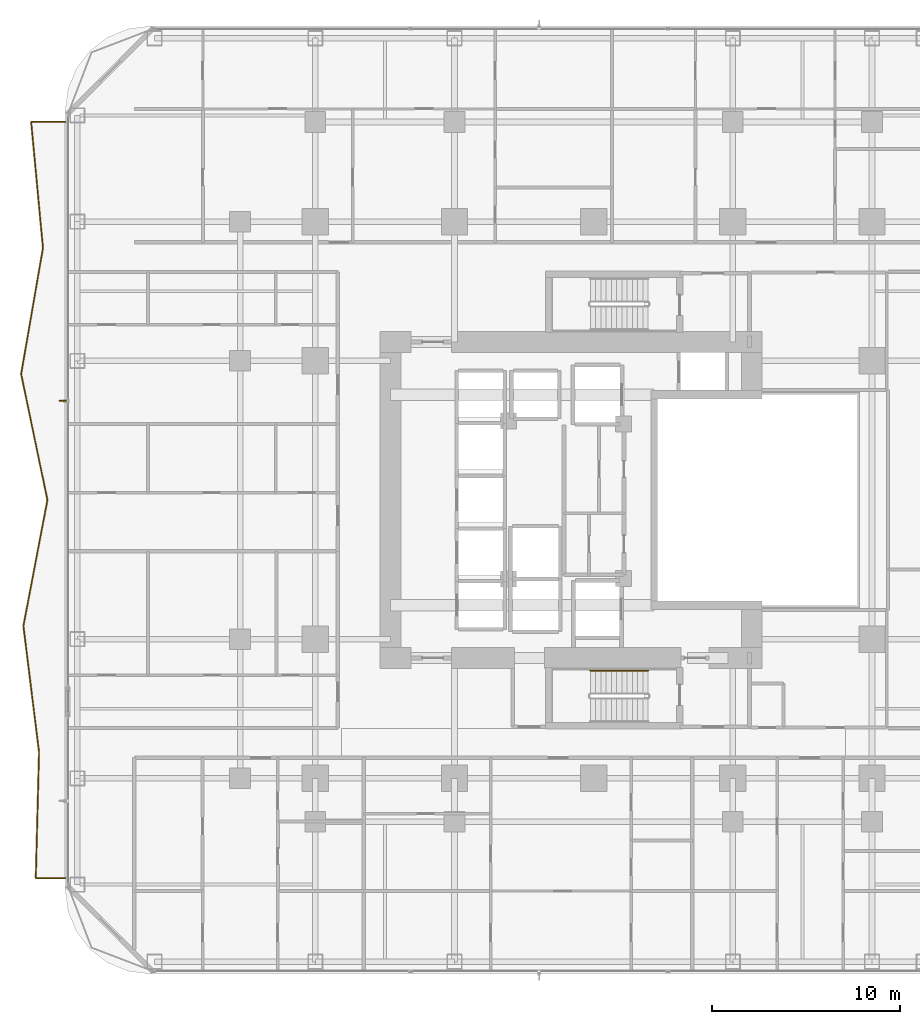
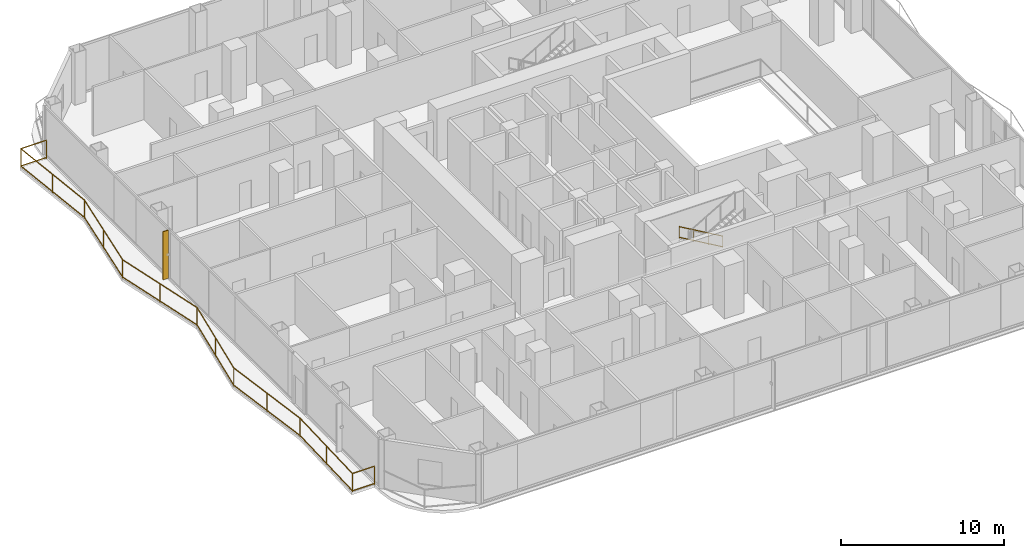
# One storey, part 27 of 30: 2 railings, 1 shading device.
"""IFC4 building model written with IfcOpenShell, lengths in metres."""

from ifc_helpers import new_model, si_unit, direction, frame, origin, origin_2d, place, context, subcontext, project, spatial, rectangle, extrude, material, layer, layer_set, type_object, element, save


model = new_model("IFC4")

# Units and contexts
model_context = context("Model", 3, precision=1e-05, world=origin(), true_north=direction((0.0, 1.0)))
body_context = subcontext(model_context, "Body", "Model", "MODEL_VIEW")
ifc_project = project(units=[si_unit("LENGTHUNIT", "METRE"), si_unit("AREAUNIT", "SQUARE_METRE"), si_unit("VOLUMEUNIT", "CUBIC_METRE"), si_unit("PLANEANGLEUNIT", "RADIAN"), si_unit("MASSUNIT", "GRAM", prefix="KILO")], contexts=[model_context])

# Site, building, storey
site_placement = place(None, origin())
site = spatial("IfcSite", under=ifc_project, at=site_placement, CompositionType="ELEMENT")
building_placement = place(site_placement, origin())
building = spatial("IfcBuilding", under=site, at=building_placement, Name="Khorvyn Point Tower", CompositionType="ELEMENT")
storey_placement = place(building_placement, frame((0.0, 0.0, 57.89990234375)))
storey = spatial("IfcBuildingStorey", under=building, at=storey_placement, Name="L15", CompositionType="ELEMENT", Elevation=57.89990234375)

# Shading device
ifc_material_1 = material(Name="Bronze anodised aluminium 6063-T6", Category="aluminium")
ifc_layer = layer(ifc_material_1, 0.06494140625)
ifc_layer_set = layer_set([ifc_layer], Name="Bronze Anodised Aluminium FIN 380x65")
shading_device_type = type_object("IfcShadingDeviceType", Name="Bronze Anodised Aluminium FIN 380x65", PredefinedType="USERDEFINED", material=ifc_layer_set)
shading_device_placement = place(storey_placement, frame((-28.22998046875, 5.27490234375, 0.0400390625), z_axis=(0.0, 0.0, 1.0), x_axis=(-1.0, 0.0, 0.0)))
element("IfcShadingDevice", 1, at=shading_device_placement, inside=storey, type_object=shading_device_type, Name="L15 Anodised FIN 01", ObjectType="FIN", PredefinedType="USERDEFINED", context=body_context, shape_type="SweptSolid", body=[
    extrude(rectangle(XDim=0.3798828125, YDim=0.06494140625, at=origin_2d()), origin(), (0.0, 0.0, 1.0), 3.60009765625),
])

# Railings
ifc_material_2 = material(Name="Anodised aluminium 6063-T6 and laminated safety glass", Category="aluminium")
railing_type_1 = type_object("IfcRailingType", Name="Laminated Glass and Aluminium Balcony Guardrail 1400", PredefinedType="BALUSTRADE", material=ifc_material_2)
railing_1_placement = place(storey_placement, frame((-28.10009765625, 20.10009765625, 0.0)))
element("IfcRailing", 2, at=railing_1_placement, inside=storey, type_object=railing_type_1, Name="L15 West Balcony Guardrail", PredefinedType="BALUSTRADE", context=body_context, shape_type="SweptSolid", body=[
    extrude(rectangle(XDim=0.048095703125, YDim=0.048095703125, at=origin_2d()), frame((0.0, 0.0, 1.3759765625), z_axis=(-1.0, 0.0, 0.0), x_axis=(0.0, -1.0, 0.0)), (0.0, 0.0, 1.0), 1.80810546875),
    extrude(rectangle(XDim=0.048095703125, YDim=0.048095703125, at=origin_2d()), frame((0.0, 0.0, 0.080078125), z_axis=(-1.0, 0.0, 0.0), x_axis=(0.0, -1.0, 0.0)), (0.0, 0.0, 1.0), 1.80810546875),
    extrude(rectangle(XDim=0.048095703125, YDim=0.048095703125, at=origin_2d()), frame((-1.80810546875, 0.0, 1.3759765625), z_axis=(0.093417128562, -0.995627058738, 0.0), x_axis=(0.995627058738, 0.093417128562, 0.0)), (0.0, 0.0, 1.0), 6.729736328125),
    extrude(rectangle(XDim=0.048095703125, YDim=0.048095703125, at=origin_2d()), frame((-1.80810546875, 0.0, 0.080078125), z_axis=(0.093417128562, -0.995627058738, 0.0), x_axis=(0.995627058738, 0.093417128562, 0.0)), (0.0, 0.0, 1.0), 6.729736328125),
    extrude(rectangle(XDim=0.048095703125, YDim=0.048095703125, at=origin_2d()), frame((-1.179443359375, -6.7001953125, 1.3759765625), z_axis=(-0.170794159587, -0.985306731455, 0.0), x_axis=(0.985306731455, -0.170794159587, 0.0)), (0.0, 0.0, 1.0), 6.7998046875),
    extrude(rectangle(XDim=0.048095703125, YDim=0.048095703125, at=origin_2d()), frame((-1.179443359375, -6.7001953125, 0.080078125), z_axis=(-0.170794159587, -0.985306731455, 0.0), x_axis=(0.985306731455, -0.170794159587, 0.0)), (0.0, 0.0, 1.0), 6.7998046875),
    extrude(rectangle(XDim=0.048095703125, YDim=0.048095703125, at=origin_2d()), frame((-2.3408203125, -13.400146484375, 1.3759765625), z_axis=(0.204251957778, -0.978918350908, 0.0), x_axis=(0.978918350908, 0.204251957778, 0.0)), (0.0, 0.0, 1.0), 6.84423828125),
    extrude(rectangle(XDim=0.048095703125, YDim=0.048095703125, at=origin_2d()), frame((-2.3408203125, -13.400146484375, 0.080078125), z_axis=(0.204251957778, -0.978918350908, 0.0), x_axis=(0.978918350908, 0.204251957778, 0.0)), (0.0, 0.0, 1.0), 6.84423828125),
    extrude(rectangle(XDim=0.048095703125, YDim=0.048095703125, at=origin_2d()), frame((-0.94287109375, -20.10009765625, 1.3759765625), z_axis=(-0.187345664161, -0.98229405074, 0.0), x_axis=(0.98229405074, -0.187345664161, 0.0)), (0.0, 0.0, 1.0), 6.82080078125),
    extrude(rectangle(XDim=0.048095703125, YDim=0.048095703125, at=origin_2d()), frame((-0.94287109375, -20.10009765625, 0.080078125), z_axis=(-0.187345664161, -0.98229405074, 0.0), x_axis=(0.98229405074, -0.187345664161, 0.0)), (0.0, 0.0, 1.0), 6.82080078125),
    extrude(rectangle(XDim=0.048095703125, YDim=0.048095703125, at=origin_2d()), frame((-2.220703125, -26.800048828125, 1.3759765625), z_axis=(0.123238031284, -0.992377139824, 0.0), x_axis=(0.992377139824, 0.123238031284, 0.0)), (0.0, 0.0, 1.0), 6.75146484375),
    extrude(rectangle(XDim=0.048095703125, YDim=0.048095703125, at=origin_2d()), frame((-2.220703125, -26.800048828125, 0.080078125), z_axis=(0.123238031284, -0.992377139824, 0.0), x_axis=(0.992377139824, 0.123238031284, 0.0)), (0.0, 0.0, 1.0), 6.75146484375),
    extrude(rectangle(XDim=0.048095703125, YDim=0.048095703125, at=origin_2d()), frame((-1.388671875, -33.5, 1.3759765625), z_axis=(-0.025971414337, -0.999662685928, 0.0), x_axis=(0.999662685928, -0.025971414337, 0.0)), (0.0, 0.0, 1.0), 6.702392578125),
    extrude(rectangle(XDim=0.048095703125, YDim=0.048095703125, at=origin_2d()), frame((-1.388671875, -33.5, 0.080078125), z_axis=(-0.025971414337, -0.999662685928, 0.0), x_axis=(0.999662685928, -0.025971414337, 0.0)), (0.0, 0.0, 1.0), 6.702392578125),
    extrude(rectangle(XDim=0.048095703125, YDim=0.048095703125, at=origin_2d()), frame((-1.562744140625, -40.2001953125, 1.3759765625), z_axis=(1.0, 0.0, 0.0), x_axis=(0.0, 1.0, 0.0)), (0.0, 0.0, 1.0), 1.562744140625),
    extrude(rectangle(XDim=0.048095703125, YDim=0.048095703125, at=origin_2d()), frame((-1.562744140625, -40.2001953125, 0.080078125), z_axis=(1.0, 0.0, 0.0), x_axis=(0.0, 1.0, 0.0)), (0.0, 0.0, 1.0), 1.562744140625),
    extrude(rectangle(XDim=0.0419921875, YDim=0.0419921875, at=origin_2d()), origin(), (0.0, 0.0, 1.0), 1.351806640625),
    extrude(rectangle(XDim=0.0419921875, YDim=0.0419921875, at=origin_2d()), frame((-1.80810546875, 0.0, 0.0)), (0.0, 0.0, 1.0), 1.351806640625),
    extrude(rectangle(XDim=0.0419921875, YDim=0.0419921875, at=origin_2d()), frame((-1.49365234375, -3.35009765625, 0.0)), (0.0, 0.0, 1.0), 1.351806640625),
    extrude(rectangle(XDim=0.0419921875, YDim=0.0419921875, at=origin_2d()), frame((-1.179443359375, -6.7001953125, 0.0)), (0.0, 0.0, 1.0), 1.351806640625),
    extrude(rectangle(XDim=0.0419921875, YDim=0.0419921875, at=origin_2d()), frame((-1.76025390625, -10.05029296875, 0.0)), (0.0, 0.0, 1.0), 1.351806640625),
    extrude(rectangle(XDim=0.0419921875, YDim=0.0419921875, at=origin_2d()), frame((-2.3408203125, -13.400146484375, 0.0)), (0.0, 0.0, 1.0), 1.351806640625),
    extrude(rectangle(XDim=0.0419921875, YDim=0.0419921875, at=origin_2d()), frame((-1.641845703125, -16.75, 0.0)), (0.0, 0.0, 1.0), 1.351806640625),
    extrude(rectangle(XDim=0.0419921875, YDim=0.0419921875, at=origin_2d()), frame((-0.94287109375, -20.10009765625, 0.0)), (0.0, 0.0, 1.0), 1.351806640625),
    extrude(rectangle(XDim=0.0419921875, YDim=0.0419921875, at=origin_2d()), frame((-1.581787109375, -23.4501953125, 0.0)), (0.0, 0.0, 1.0), 1.351806640625),
    extrude(rectangle(XDim=0.0419921875, YDim=0.0419921875, at=origin_2d()), frame((-2.220703125, -26.800048828125, 0.0)), (0.0, 0.0, 1.0), 1.351806640625),
    extrude(rectangle(XDim=0.0419921875, YDim=0.0419921875, at=origin_2d()), frame((-1.8046875, -30.14990234375, 0.0)), (0.0, 0.0, 1.0), 1.351806640625),
    extrude(rectangle(XDim=0.0419921875, YDim=0.0419921875, at=origin_2d()), frame((-1.388671875, -33.5, 0.0)), (0.0, 0.0, 1.0), 1.351806640625),
    extrude(rectangle(XDim=0.0419921875, YDim=0.0419921875, at=origin_2d()), frame((-1.4755859375, -36.85009765625, 0.0)), (0.0, 0.0, 1.0), 1.351806640625),
    extrude(rectangle(XDim=0.0419921875, YDim=0.0419921875, at=origin_2d()), frame((-1.562744140625, -40.2001953125, 0.0)), (0.0, 0.0, 1.0), 1.351806640625),
    extrude(rectangle(XDim=0.0419921875, YDim=0.0419921875, at=origin_2d()), frame((0.0, -40.2001953125, 0.0)), (0.0, 0.0, 1.0), 1.351806640625),
])
ifc_material_3 = material(Name="Stainless steel 1.4301", Category="steel")
railing_type_2 = type_object("IfcRailingType", Name="Stainless Steel 304 Stair Pitch Handrail 900", PredefinedType="HANDRAIL", material=ifc_material_3)
railing_2_placement = place(storey_placement, frame((2.89990234375, -9.070068359375, 0.16259765625)))
element("IfcRailing", 3, at=railing_2_placement, inside=storey, type_object=railing_type_2, Name="L15 ST-01 stair handrail 1", PredefinedType="HANDRAIL", context=body_context, shape_type="SweptSolid", body=[
    extrude(rectangle(XDim=0.048095703125, YDim=0.048095703125, at=origin_2d()), frame((0.0, 0.0, 0.8759765625), z_axis=(-0.864873446163, 0.0, 0.501989962173), x_axis=(0.0, -1.0, 0.0)), (0.0, 0.0, 1.0), 3.56103515625),
    extrude(rectangle(XDim=0.048095703125, YDim=0.048095703125, at=origin_2d()), frame((0.0, 0.0, 0.080078125), z_axis=(-0.864873446163, 0.0, 0.501989962173), x_axis=(0.0, -1.0, 0.0)), (0.0, 0.0, 1.0), 3.56103515625),
    extrude(rectangle(XDim=0.0419921875, YDim=0.0419921875, at=origin_2d()), origin(), (0.0, 0.0, 1.0), 0.851806640625),
    extrude(rectangle(XDim=0.0419921875, YDim=0.0419921875, at=origin_2d()), frame((-1.026611328125, 0.0, 0.595947265625)), (0.0, 0.0, 1.0), 0.851806640625),
    extrude(rectangle(XDim=0.0419921875, YDim=0.0419921875, at=origin_2d()), frame((-2.05322265625, 0.0, 1.191650390625)), (0.0, 0.0, 1.0), 0.851806640625),
    extrude(rectangle(XDim=0.0419921875, YDim=0.0419921875, at=origin_2d()), frame((-3.079833984375, 0.0, 1.78759765625)), (0.0, 0.0, 1.0), 0.851806640625),
])

save(model, "model.ifc")
